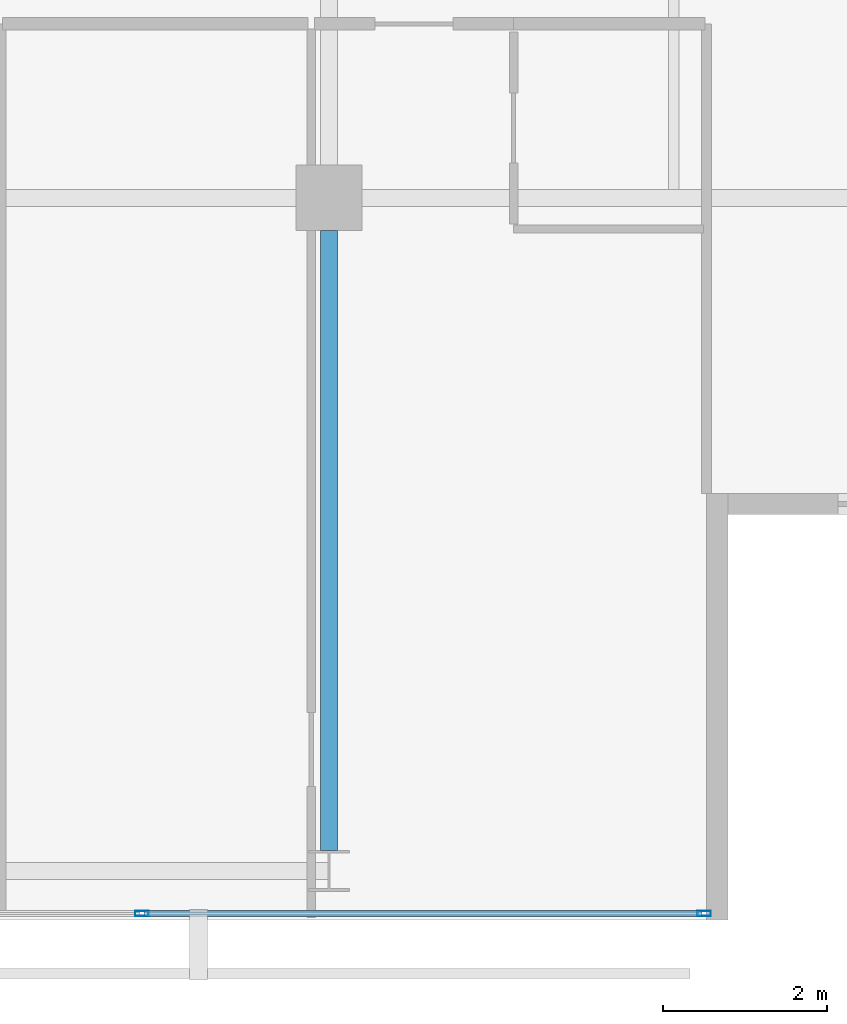
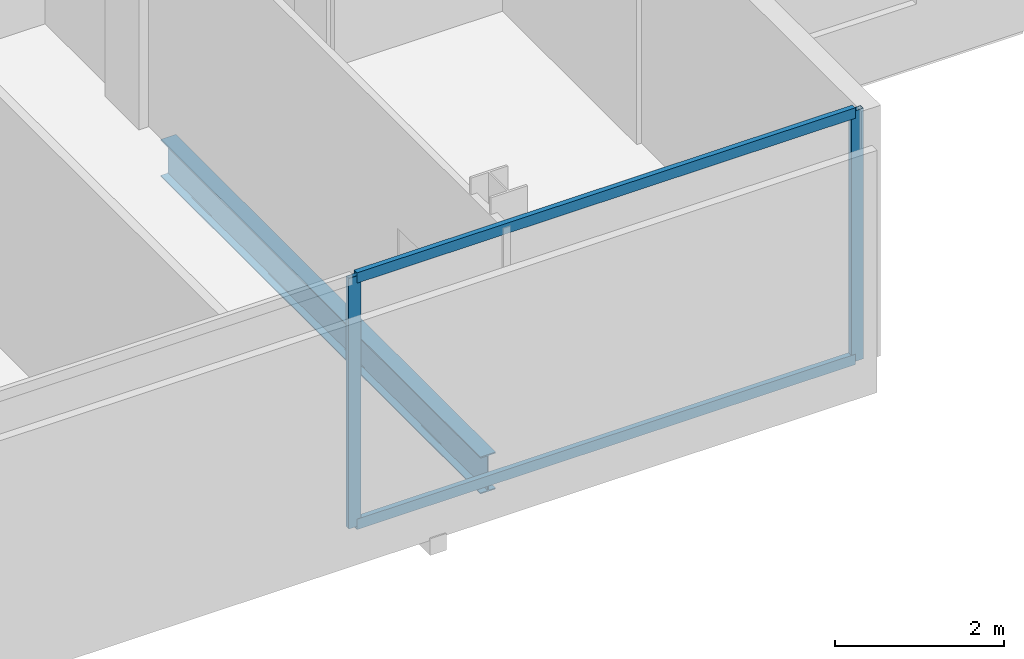
# One storey, part 10 of 25: 4 members, 1 beam, 1 element without a shape of its own.
"""IFC4 building model written with IfcOpenShell, lengths in metres."""

from ifc_helpers import new_model, si_unit, direction, frame, origin, origin_2d, place, context, subcontext, project, spatial, hollow_rectangle, i_section, extrude, material, layer, layer_set, material_profile, profile_set, type_object, element, aggregate, save


model = new_model("IFC4")

# Units and contexts
model_context = context("Model", 3, precision=1e-05, world=origin(), true_north=direction((0.0, 1.0)))
body_context = subcontext(model_context, "Body", "Model", "MODEL_VIEW")
ifc_project = project(units=[si_unit("LENGTHUNIT", "METRE"), si_unit("AREAUNIT", "SQUARE_METRE"), si_unit("VOLUMEUNIT", "CUBIC_METRE"), si_unit("PLANEANGLEUNIT", "RADIAN"), si_unit("MASSUNIT", "GRAM", prefix="KILO")], contexts=[model_context])

# Site, building, storey
site_placement = place(None, origin())
site = spatial("IfcSite", under=ifc_project, at=site_placement, CompositionType="ELEMENT")
building_placement = place(site_placement, origin())
building = spatial("IfcBuilding", under=site, at=building_placement, Name="Maruvema Waterfront Hotel and Observation Tower", CompositionType="ELEMENT")
storey_placement = place(building_placement, frame((0.0, 0.0, 250.949951171875)))
storey = spatial("IfcBuildingStorey", under=building, at=storey_placement, Name="L61", CompositionType="ELEMENT", Elevation=250.949951171875)

# Curtain wall, members
ifc_material_1 = material(Name="Anodised bronze aluminium and solar-control low-E IGU", Category="aluminium")
ifc_layer = layer(ifc_material_1, 0.159912109375, Name="Zone 3 Champagne Inner Thermal Curtain Wall System CW-04")
ifc_layer_set = layer_set([ifc_layer], Name="Anodised bronze aluminium and solar-control low-E IGU")
curtain_wall_type = type_object("IfcCurtainWallType", Name="Zone 3 Champagne Inner Thermal Curtain Wall System CW-04", PredefinedType="USERDEFINED", material=ifc_layer_set)
curtain_wall_placement = place(storey_placement, origin())
curtain_wall = element("IfcCurtainWall", 1, at=curtain_wall_placement, inside=storey, type_object=curtain_wall_type, Name="L61 Curtain Wall CW-L61-S", ObjectType="UNITISED CURTAIN WALL", PredefinedType="USERDEFINED")
ifc_material_2 = material(Name="Anodised architectural bronze aluminium", Category="aluminium")
ifc_material_profile_1 = material_profile(ifc_material_2, hollow_rectangle(XDim=0.070068359375, YDim=0.14990234375, WallThickness=0.00390625, at=origin_2d()), Name="ALU-T70x150")
ifc_profile_set_1 = profile_set([ifc_material_profile_1], Name="Anodised architectural bronze aluminium")
member_type_1 = type_object("IfcMemberType", Name="Curtain Wall Horizontal Transom ALU-T70x150", PredefinedType="USERDEFINED", material=ifc_profile_set_1)
member_1_placement = place(storey_placement, frame((48.14990234375, 9.280029296875, 0.030029296875), z_axis=(1.0, 0.0, 0.0), x_axis=(0.0, 1.0, 0.0)))
member_1 = element("IfcMember", 2, at=member_1_placement, type_object=member_type_1, Name="CW-04 transom 5.1", ObjectType="TRANSOM", PredefinedType="USERDEFINED", context=body_context, shape_type="SweptSolid", body=[
    extrude(hollow_rectangle(XDim=0.070068359375, YDim=0.14990234375, WallThickness=0.00390625, at=origin_2d()), origin(), (0.0, 0.0, 1.0), 6.7900390625),
])
member_2_placement = place(storey_placement, frame((48.14990234375, 9.280029296875, 3.580078125), z_axis=(1.0, 0.0, 0.0), x_axis=(0.0, 1.0, 0.0)))
member_2 = element("IfcMember", 3, at=member_2_placement, type_object=member_type_1, Name="CW-04 transom 5.2", ObjectType="TRANSOM", PredefinedType="USERDEFINED", context=body_context, shape_type="SweptSolid", body=[
    extrude(hollow_rectangle(XDim=0.070068359375, YDim=0.14990234375, WallThickness=0.00390625, at=origin_2d()), origin(), (0.0, 0.0, 1.0), 6.7900390625),
])
ifc_material_3 = material(Name="Anodised architectural bronze aluminium", Category="aluminium")
ifc_material_profile_2 = material_profile(ifc_material_3, hollow_rectangle(XDim=0.06494140625, YDim=0.1650390625, WallThickness=0.00390625, at=origin_2d()), Name="ALU-M65x165")
ifc_profile_set_2 = profile_set([ifc_material_profile_2], Name="Anodised architectural bronze aluminium")
member_type_2 = type_object("IfcMemberType", Name="Curtain Wall Primary Mullion ALU-M65x165", PredefinedType="MULLION", material=ifc_profile_set_2)
member_3_placement = place(storey_placement, frame((48.1201171875, 9.280029296875, 0.0), z_axis=(0.0, 0.0, 1.0), x_axis=(0.0, 1.0, 0.0)))
member_3 = element("IfcMember", 4, at=member_3_placement, type_object=member_type_2, Name="CW-04 mullion 5", PredefinedType="MULLION", context=body_context, shape_type="SweptSolid", body=[
    extrude(hollow_rectangle(XDim=0.06494140625, YDim=0.1650390625, WallThickness=0.00390625, at=origin_2d()), origin(), (0.0, 0.0, 1.0), 3.610107421875),
])
member_4_placement = place(storey_placement, frame((54.969970703125, 9.280029296875, 0.0), z_axis=(0.0, 0.0, 1.0), x_axis=(0.0, 1.0, 0.0)))
member_4 = element("IfcMember", 5, at=member_4_placement, type_object=member_type_2, Name="CW-04 mullion 6", PredefinedType="MULLION", context=body_context, shape_type="SweptSolid", body=[
    extrude(hollow_rectangle(XDim=0.06494140625, YDim=0.1650390625, WallThickness=0.00390625, at=origin_2d()), origin(), (0.0, 0.0, 1.0), 3.610107421875),
])
aggregate(curtain_wall, [member_3, member_4, member_1, member_2])

# Beam
ifc_material_4 = material(Name="Steel ASTM A572 Grade 50", Category="steel")
ifc_material_profile_3 = material_profile(ifc_material_4, i_section(OverallWidth=0.208984375, OverallDepth=0.532958984375, WebThickness=0.01025390625, FlangeThickness=0.015625, FilletRadius=0.014892578125, at=origin_2d()), Name="W530x92.0")
ifc_profile_set_3 = profile_set([ifc_material_profile_3], Name="Steel ASTM A572 Grade 50")
beam_type = type_object("IfcBeamType", Name="Primary Floor Girder W530x92.0", PredefinedType="BEAM", material=ifc_profile_set_3)
beam_placement = place(storey_placement, frame((50.39990234375, 10.050048828125, -0.50634765625), z_axis=(0.0, 1.0, 0.0), x_axis=(-1.0, 0.0, 0.0)))
element("IfcBeam", 6, at=beam_placement, inside=storey, type_object=beam_type, Name="L61 Floor Girder NS-12", PredefinedType="BEAM", context=body_context, shape_type="SweptSolid", body=[
    extrude(i_section(OverallWidth=0.208984375, OverallDepth=0.532958984375, WebThickness=0.01025390625, FlangeThickness=0.015625, FilletRadius=0.014892578125, at=origin_2d()), origin(), (0.0, 0.0, 1.0), 7.550048828125),
])

save(model, "model.ifc")
